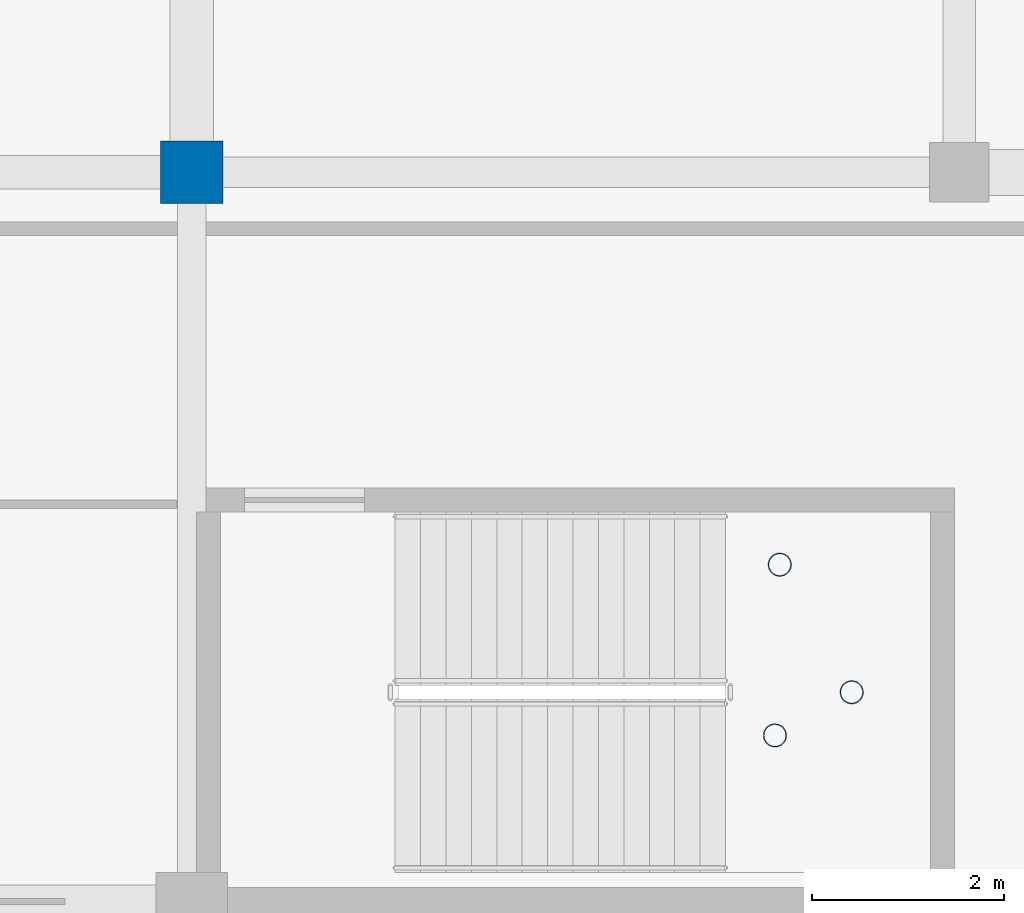
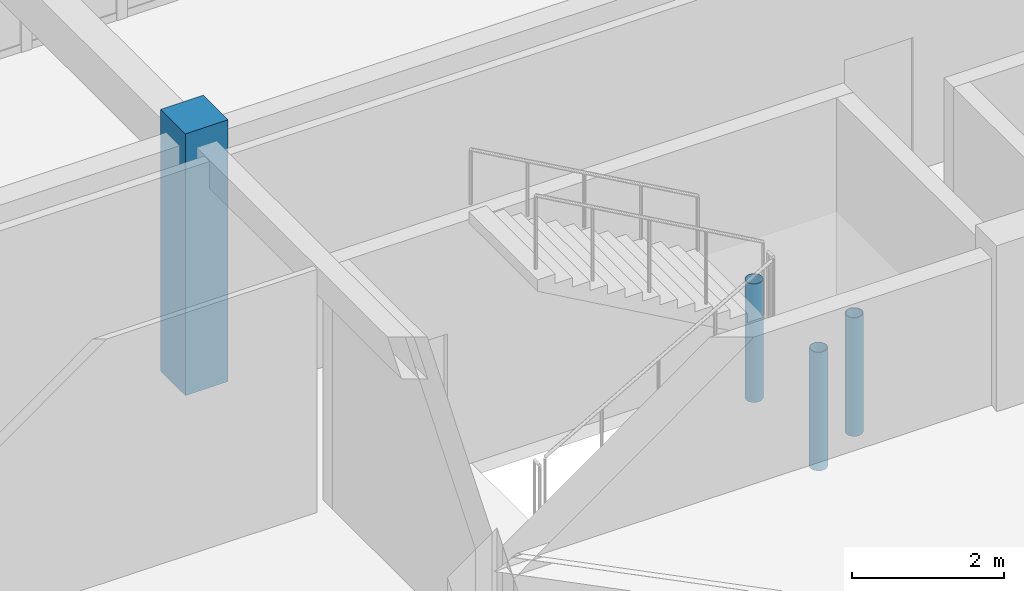
# One storey, part 7 of 195: 4 columns.
"""IFC4 building model written with IfcOpenShell, lengths in metres."""

from ifc_helpers import new_model, si_unit, direction, frame, origin, origin_2d, place, context, subcontext, project, spatial, rectangle, hollow_circle, extrude, material, material_profile, profile_set, type_object, element, save


model = new_model("IFC4")

# Units and contexts
model_context = context("Model", 3, precision=1e-05, world=origin(), true_north=direction((0.0, 1.0)))
body_context = subcontext(model_context, "Body", "Model", "MODEL_VIEW")
ifc_project = project(units=[si_unit("LENGTHUNIT", "METRE"), si_unit("AREAUNIT", "SQUARE_METRE"), si_unit("VOLUMEUNIT", "CUBIC_METRE"), si_unit("PLANEANGLEUNIT", "RADIAN"), si_unit("MASSUNIT", "GRAM", prefix="KILO")], contexts=[model_context])

# Site, building, storey
site_placement = place(None, origin())
site = spatial("IfcSite", under=ifc_project, at=site_placement, CompositionType="ELEMENT")
building_placement = place(site_placement, origin())
building = spatial("IfcBuilding", under=site, at=building_placement, Name="Kharva Crest Polytechnic", CompositionType="ELEMENT")
storey_placement = place(building_placement, frame((0.0, 0.0, 9.0)))
storey = spatial("IfcBuildingStorey", under=building, at=storey_placement, Name="L02", CompositionType="ELEMENT", Elevation=9.0)

# Columns
ifc_material_1 = material(Name="Concrete C40/50", Category="concrete")
ifc_material_profile_1 = material_profile(ifc_material_1, rectangle(XDim=0.64990234375, YDim=0.64990234375, at=origin_2d()), Name="RECT 650 X 650")
ifc_profile_set_1 = profile_set([ifc_material_profile_1], Name="Concrete C40/50")
column_type_1 = type_object("IfcColumnType", Name="COL-INT-650X650", PredefinedType="COLUMN", material=ifc_profile_set_1)
column_placement = place(storey_placement, frame((88.0, 15.199951171875, 0.0), z_axis=(0.0, 0.0, 1.0), x_axis=(1.0, 0.0, 0.0)))
element("IfcColumn", 1, at=column_placement, inside=storey, type_object=column_type_1, Name="L02 Column 12/C", PredefinedType="COLUMN", context=body_context, shape_type="SweptSolid", body=[
    extrude(rectangle(XDim=0.64990234375, YDim=0.64990234375, at=origin_2d()), origin(), (0.0, 0.0, 1.0), 4.199951171875),
])
ifc_material_2 = material(Name="Steel S355", Category="steel")
ifc_material_profile_2 = material_profile(ifc_material_2, hollow_circle(Radius=0.122314453125, WallThickness=0.010009765625, at=origin_2d()), Name="CHS 244.5X10.0")
ifc_profile_set_2 = profile_set([ifc_material_profile_2], Name="Steel S355")
column_type_2 = type_object("IfcColumnType", Name="COL-STL-CHS244", PredefinedType="COLUMN", material=ifc_profile_set_2)
for number, where, z_axis, x_axis, name in (
    (2, (94.080078125, 9.330078125, 0.0), (0.0, 0.0, 1.0), (1.0, 0.0, 0.0), "L02 Stair ST-08 Landing Support Column SW"),
    (3, (94.1298828125, 11.110107421875, 0.0), (0.0, 0.0, 1.0), (1.0, 0.0, 0.0), "L02 Stair ST-08 Landing Support Column NW"),
    (4, (94.8798828125, 9.780029296875, 0.0), (0.0, 0.0, 1.0), (1.0, 0.0, 0.0), "L02 Stair ST-08 Landing Support Column EM"),
):
    element("IfcColumn", number, at=place(storey_placement, frame(where, z_axis=z_axis, x_axis=x_axis)), inside=storey, type_object=column_type_2, Name=name, PredefinedType="COLUMN", context=body_context, shape_type="SweptSolid", body=[
        extrude(hollow_circle(Radius=0.122314453125, WallThickness=0.010009765625, at=origin_2d()), origin(), (0.0, 0.0, 1.0), 1.89990234375),
    ])

save(model, "model.ifc")
